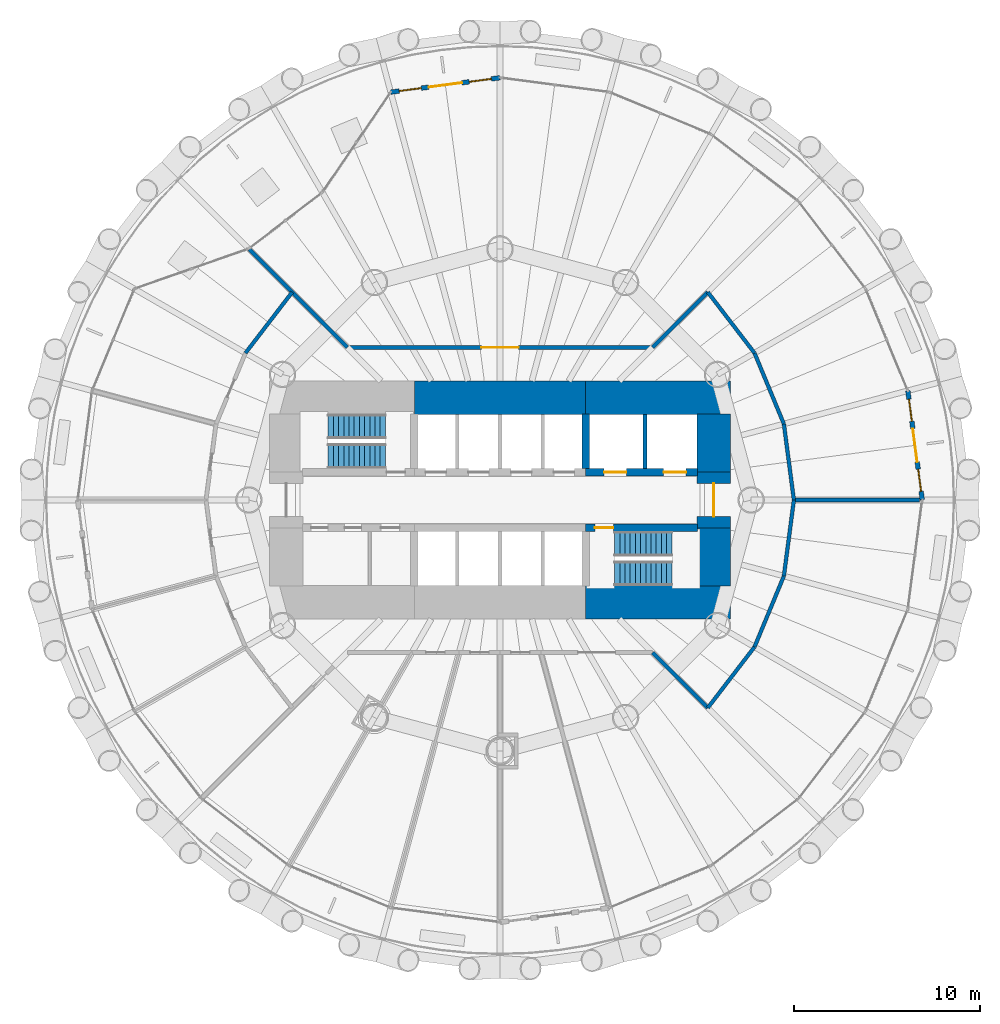
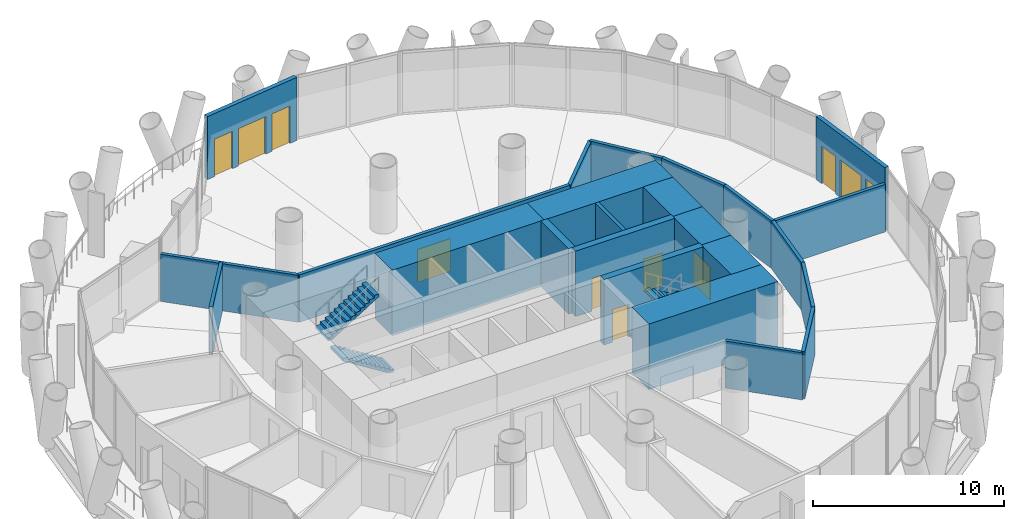
# One storey, part 10 of 14: 24 walls, 7 doors, 4 stair flights, 4 windows, 11 openings, 2 elements without a shape of their own.
"""IFC4 building model written with IfcOpenShell, lengths in metres."""

import ifcopenshell
import ifcopenshell.guid

model = None  # the IFC model being written
_history = None  # IfcOwnerHistory: only IFC2X3 demands one
_inside = {}  # id of a spatial element -> (the spatial element, [elements in it])
_under = {}  # id of a project, library or spatial element -> (it, [spatial elements below it])
_declared = {}  # id of a project -> (the project, [libraries it declares])
_typed = {}  # id of a type object -> (the type object, [elements of that type])
_made_of = {}  # id of a material, layer set ... -> (it, [elements and type objects made of it])


def new_model(schema):
    """Start an empty IFC model of exactly this schema.

    Asked for "IFC4X3", IfcOpenShell would pick the latest addendum, in which some entities
    have other attributes; the version numbers below select the first issue.
    IFC2X3 requires an IfcOwnerHistory on every rooted entity: one is made here for all.
    """
    global model, _history
    if schema == "IFC4X3":
        model = ifcopenshell.file(schema_version=(4, 3, 0, 0))
    else:
        model = ifcopenshell.file(schema=schema)
    _inside.clear()
    _under.clear()
    _declared.clear()
    _typed.clear()
    _made_of.clear()
    _history = None
    if model.schema == "IFC2X3":
        org = make("IfcOrganization", Name="unknown")
        user = make(
            "IfcPersonAndOrganization",
            ThePerson=make("IfcPerson", FamilyName="unknown"),
            TheOrganization=org,
        )
        app = make(
            "IfcApplication",
            ApplicationDeveloper=org,
            Version="unknown",
            ApplicationFullName="unknown",
            ApplicationIdentifier="unknown",
        )
        _history = make(
            "IfcOwnerHistory",
            OwningUser=user,
            OwningApplication=app,
            ChangeAction="ADDED",
            CreationDate=0,
        )
    return model


def make(cls, **values):
    """One entity of the class cls with the attributes given. An attribute that is None is left unset."""
    return model.create_entity(
        cls, **{name: value for name, value in values.items() if value is not None}
    )


def rooted(cls, **values):
    """An entity with a GlobalId (a new one), such as an element, a storey or a relation."""
    return make(cls, GlobalId=ifcopenshell.guid.new(), OwnerHistory=_history, **values)


def si_unit(unit_type, name, prefix=None):
    """IfcSIUnit, for example si_unit("LENGTHUNIT", "METRE", prefix="MILLI")."""
    return make("IfcSIUnit", UnitType=unit_type, Prefix=prefix, Name=name)


def assignment(units):
    """IfcUnitAssignment: the units of a project."""
    return None if units is None else make("IfcUnitAssignment", Units=units)


def point(xyz):
    """IfcCartesianPoint."""
    return None if xyz is None else make("IfcCartesianPoint", Coordinates=xyz)


def direction(xyz):
    """IfcDirection."""
    return None if xyz is None else make("IfcDirection", DirectionRatios=xyz)


def frame(location, z_axis=None, x_axis=None):
    """IfcAxis2Placement3D, a coordinate frame: its origin and axes. An axis left out is left unset."""
    return make(
        "IfcAxis2Placement3D",
        Location=point(location),
        Axis=direction(z_axis),
        RefDirection=direction(x_axis),
    )


def frame_2d(location, x_axis=None):
    """IfcAxis2Placement2D, a coordinate frame in the plane: its origin and x axis."""
    return make(
        "IfcAxis2Placement2D", Location=point(location), RefDirection=direction(x_axis)
    )


def origin():
    """The frame at (0, 0, 0) with its axes left unset."""
    return frame((0.0, 0.0, 0.0))


def place(relative_to, where):
    """IfcLocalPlacement: puts the frame where relative to a parent placement (None: the world)."""
    return make(
        "IfcLocalPlacement", PlacementRelTo=relative_to, RelativePlacement=where
    )


def context(
    kind, dimensions, precision=None, world=None, true_north=None, identifier=None
):
    """IfcGeometricRepresentationContext, for example the 3D "Model" context."""
    return make(
        "IfcGeometricRepresentationContext",
        ContextIdentifier=identifier,
        ContextType=kind,
        CoordinateSpaceDimension=dimensions,
        Precision=precision,
        WorldCoordinateSystem=world,
        TrueNorth=true_north,
    )


def subcontext(parent, identifier, kind, view, scale=None):
    """IfcGeometricRepresentationSubContext, for example "Body" below "Model"."""
    return make(
        "IfcGeometricRepresentationSubContext",
        ContextIdentifier=identifier,
        ContextType=kind,
        ParentContext=parent,
        TargetScale=scale,
        TargetView=view,
    )


def project(units=None, contexts=None):
    """IfcProject with its units and contexts."""
    return rooted(
        "IfcProject",
        Name="project",
        RepresentationContexts=contexts,
        UnitsInContext=assignment(units),
    )


def spatial(cls, under=None, at=None, **own):
    """A site, building, storey or space (cls), placed at a placement, below another one or the project."""
    s = rooted(cls, ObjectPlacement=at, **own)
    if under is not None:
        _under.setdefault(under.id(), (under, []))[1].append(s)
    return s


def polyline(points):
    """IfcPolyline through the points."""
    return make("IfcPolyline", Points=[point(p) for p in points])


def profile(cls, at=None, kind="AREA", **sizes):
    """A parametric profile (cls). Its sizes go by their IFC names, for example OverallWidth=200.0."""
    return make(cls, ProfileType=kind, Position=at, **sizes)


def rectangle(**sizes):
    """IfcRectangleProfileDef."""
    return profile("IfcRectangleProfileDef", **sizes)


def outline(outer, holes=None, kind="AREA"):
    """IfcArbitraryClosedProfileDef: a profile drawn as a closed curve; with holes, ...WithVoids."""
    if holes is None:
        return make("IfcArbitraryClosedProfileDef", ProfileType=kind, OuterCurve=outer)
    return make(
        "IfcArbitraryProfileDefWithVoids",
        ProfileType=kind,
        OuterCurve=outer,
        InnerCurves=holes,
    )


def extrude(swept, where, along, depth):
    """IfcExtrudedAreaSolid: the profile swept, set in the frame where, extruded along a direction by depth."""
    return make(
        "IfcExtrudedAreaSolid",
        SweptArea=swept,
        Position=where,
        ExtrudedDirection=direction(along),
        Depth=depth,
    )


def shape(context_of_items, identifier, shape_type, items):
    """IfcShapeRepresentation: the items that make up one representation, for example the "Body"."""
    return make(
        "IfcShapeRepresentation",
        ContextOfItems=context_of_items,
        RepresentationIdentifier=identifier,
        RepresentationType=shape_type,
        Items=items,
    )


def material(Name=None, Category=None):
    """IfcMaterial."""
    return make("IfcMaterial", Name=Name, Category=Category)


def layer(
    of_material, thickness, ventilated=None, Name=None, Category=None, Priority=None
):
    """IfcMaterialLayer: one layer of a wall or slab, of a material (None: an air gap)."""
    return make(
        "IfcMaterialLayer",
        Material=of_material,
        LayerThickness=thickness,
        IsVentilated=ventilated,
        Name=Name,
        Category=Category,
        Priority=Priority,
    )


def layer_set(layers, Name=None):
    """IfcMaterialLayerSet."""
    return make("IfcMaterialLayerSet", MaterialLayers=layers, LayerSetName=Name)


def made_of(thing, what):
    """Note that an element or type object is made of a material, layer set ...; save() writes the relation."""
    if what is not None:
        _made_of.setdefault(what.id(), (what, []))[1].append(thing)
    return thing


def type_object(cls, material=None, **own):
    """A type object (cls), such as IfcWallType, which elements share."""
    return made_of(rooted(cls, **own), material)


def element(
    cls,
    number,
    at=None,
    inside=None,
    cuts=None,
    type_object=None,
    material=None,
    context=None,
    identifier="Body",
    shape_type=None,
    held_by="IfcProductDefinitionShape",
    body=None,
    shapes=None,
    **own,
):
    """One element of the class cls, such as IfcWall. Its Tag is "e" and its number.

    at: its placement. inside: the storey or other place that contains it. cuts: it is an
    opening in that element (IfcRelVoidsElement). A single representation is given by context,
    identifier, shape_type and body (its items); several are given by shapes. held_by: the class
    of the entity that holds the representations. save() writes the other relations.
    """
    e = rooted(cls, Tag="e%d" % number, ObjectPlacement=at, **own)
    if body is not None:
        shapes = [shape(context, identifier, shape_type, body)]
    if shapes is not None:
        e.Representation = make(held_by, Representations=shapes)
    if inside is not None:
        _inside.setdefault(inside.id(), (inside, []))[1].append(e)
    if cuts is not None:
        rooted(
            "IfcRelVoidsElement", RelatingBuildingElement=cuts, RelatedOpeningElement=e
        )
    if type_object is not None:
        _typed.setdefault(type_object.id(), (type_object, []))[1].append(e)
    return made_of(e, material)


def fill(opening, filler):
    """IfcRelFillsElement: the door or window that sits in an opening."""
    return rooted(
        "IfcRelFillsElement",
        RelatingOpeningElement=opening,
        RelatedBuildingElement=filler,
    )


def aggregate(whole, parts):
    """IfcRelAggregates: a whole, such as a stair, and the parts it consists of."""
    return rooted("IfcRelAggregates", RelatingObject=whole, RelatedObjects=parts)


def save(model, path):
    """Write the relations noted so far, then the file.

    IfcRelAggregates (storeys below a building ...), IfcRelContainedInSpatialStructure (elements
    in a storey), IfcRelDefinesByType, IfcRelAssociatesMaterial and IfcRelDeclares: one each for
    every whole, place, type object, material and project.
    """
    for whole, parts in _under.values():
        aggregate(whole, parts)
    for where, things in _inside.values():
        rooted(
            "IfcRelContainedInSpatialStructure",
            RelatedElements=things,
            RelatingStructure=where,
        )
    for kind, things in _typed.values():
        rooted("IfcRelDefinesByType", RelatedObjects=things, RelatingType=kind)
    for what, things in _made_of.values():
        rooted("IfcRelAssociatesMaterial", RelatedObjects=things, RelatingMaterial=what)
    for by, libraries in _declared.values():
        rooted("IfcRelDeclares", RelatingContext=by, RelatedDefinitions=libraries)
    model.write(path)


model = new_model("IFC4")

# Units and contexts
model_context = context("Model", 3, precision=1e-05, world=origin(), true_north=direction((0.0, 1.0)))
body_context = subcontext(model_context, "Body", "Model", "MODEL_VIEW")
ifc_project = project(units=[si_unit("LENGTHUNIT", "METRE"), si_unit("AREAUNIT", "SQUARE_METRE"), si_unit("VOLUMEUNIT", "CUBIC_METRE"), si_unit("PLANEANGLEUNIT", "RADIAN"), si_unit("MASSUNIT", "GRAM", prefix="KILO")], contexts=[model_context])

# Site, building, storey
site_placement = place(None, origin())
site = spatial("IfcSite", under=ifc_project, at=site_placement, CompositionType="ELEMENT")
building_placement = place(site_placement, origin())
building = spatial("IfcBuilding", under=site, at=building_placement, Name="Qaws Media Tower", CompositionType="ELEMENT")
storey_placement = place(building_placement, frame((0.0, 0.0, 59.60009765625)))
storey = spatial("IfcBuildingStorey", under=building, at=storey_placement, Name="L12", CompositionType="ELEMENT", Elevation=59.60009765625)

# Wall, openings, door, windows
ifc_material_1 = material(Name="Precast concrete, exposed finish", Category="concrete")
ifc_layer_1 = layer(ifc_material_1, 0.25)
ifc_layer_set_1 = layer_set([ifc_layer_1], Name="Balcony door wall 250")
wall_type_1 = type_object("IfcWallType", Name="Balcony door wall 250", PredefinedType="SOLIDWALL", material=ifc_layer_set_1)
wall_1_placement = place(storey_placement, frame((82.699951171875, 50.0, 0.0), z_axis=(0.0, 0.0, 1.0), x_axis=(-0.130517390063, 0.99144602016, 0.0)))
wall_1 = element("IfcWall", 1, at=wall_1_placement, inside=storey, type_object=wall_type_1, Name="W140 EW1 balcony door wall L12-01", PredefinedType="SOLIDWALL", context=body_context, shape_type="SweptSolid", body=[
    extrude(rectangle(XDim=5.926025390625, YDim=0.25, at=frame_2d((2.962890625, 0.0))), origin(), (0.0, 0.0, 1.0), 4.039794921875),
])
opening_1_placement = place(wall_1_placement, frame((2.06298828125, 0.0, 0.0)))
opening_1 = element("IfcOpeningElement", 2, at=opening_1_placement, cuts=wall_1, Name="Opening D7", PredefinedType="OPENING", context=body_context, shape_type="SweptSolid", body=[
    extrude(rectangle(XDim=1.800048828125, YDim=2.39990234375, at=frame_2d((0.89990234375, 1.199951171875))), frame((0.0, 0.135009765625, 0.0), z_axis=(0.0, -1.0, 0.0), x_axis=(1.0, 0.0, 0.0)), (0.0, 0.0, 1.0), 0.27001953125),
])
opening_2_placement = place(wall_1_placement, frame((0.462890625, 0.0, 0.0)))
opening_2 = element("IfcOpeningElement", 3, at=opening_2_placement, cuts=wall_1, Name="Opening W1", PredefinedType="OPENING", context=body_context, shape_type="SweptSolid", body=[
    extrude(rectangle(XDim=1.199951171875, YDim=2.39990234375, at=frame_2d((0.60009765625, 1.199951171875))), frame((0.0, 0.135009765625, 0.0), z_axis=(0.0, -1.0, 0.0), x_axis=(1.0, 0.0, 0.0)), (0.0, 0.0, 1.0), 0.27001953125),
])
opening_3_placement = place(wall_1_placement, frame((4.262939453125, 0.0, 0.0)))
opening_3 = element("IfcOpeningElement", 4, at=opening_3_placement, cuts=wall_1, Name="Opening W1", PredefinedType="OPENING", context=body_context, shape_type="SweptSolid", body=[
    extrude(rectangle(XDim=1.199951171875, YDim=2.39990234375, at=frame_2d((0.60009765625, 1.199951171875))), frame((0.0, 0.135009765625, 0.0), z_axis=(0.0, -1.0, 0.0), x_axis=(1.0, 0.0, 0.0)), (0.0, 0.0, 1.0), 0.27001953125),
])
ifc_material_2 = material(Name="Aluminium and clear glass", Category="aluminium")
door_type_1 = type_object("IfcDoorType", Name="Balcony door pair 1800", OperationType="DOUBLE_DOOR_SLIDING", PredefinedType="DOOR", material=ifc_material_2)
door_1_placement = place(opening_1_placement, origin())
door_1 = element("IfcDoor", 5, at=door_1_placement, inside=storey, type_object=door_type_1, Name="D7 balcony door L12-01 in wall W140", OperationType="DOUBLE_DOOR_SLIDING", OverallHeight=2.39990234375, OverallWidth=1.800048828125, PredefinedType="DOOR", context=body_context, shape_type="SweptSolid", body=[
    extrude(rectangle(XDim=1.800048828125, YDim=2.39990234375, at=frame_2d((0.89990234375, 1.199951171875))), frame((0.0, 0.02490234375, 0.0), z_axis=(0.0, -1.0, 0.0), x_axis=(1.0, 0.0, 0.0)), (0.0, 0.0, 1.0), 0.050048828125),
])
fill(opening_1, door_1)
ifc_material_3 = material(Name="Aluminium and clear glass", Category="aluminium")
window_type = type_object("IfcWindowType", Name="Balcony side window 1200", PartitioningType="SINGLE_PANEL", PredefinedType="WINDOW", material=ifc_material_3)
window_1_placement = place(opening_2_placement, origin())
window_1 = element("IfcWindow", 6, at=window_1_placement, inside=storey, type_object=window_type, Name="W1 balcony side light L12-01L", OverallHeight=2.39990234375, OverallWidth=1.199951171875, PartitioningType="SINGLE_PANEL", PredefinedType="WINDOW", context=body_context, shape_type="SweptSolid", body=[
    extrude(rectangle(XDim=1.199951171875, YDim=2.39990234375, at=frame_2d((0.60009765625, 1.199951171875))), frame((0.0, 0.030029296875, 0.0), z_axis=(0.0, -1.0, 0.0), x_axis=(1.0, 0.0, 0.0)), (0.0, 0.0, 1.0), 0.06005859375),
])
fill(opening_2, window_1)
window_2_placement = place(opening_3_placement, origin())
window_2 = element("IfcWindow", 7, at=window_2_placement, inside=storey, type_object=window_type, Name="W1 balcony side light L12-01R", OverallHeight=2.39990234375, OverallWidth=1.199951171875, PartitioningType="SINGLE_PANEL", PredefinedType="WINDOW", context=body_context, shape_type="SweptSolid", body=[
    extrude(rectangle(XDim=1.199951171875, YDim=2.39990234375, at=frame_2d((0.60009765625, 1.199951171875))), frame((0.0, 0.030029296875, 0.0), z_axis=(0.0, -1.0, 0.0), x_axis=(1.0, 0.0, 0.0)), (0.0, 0.0, 1.0), 0.06005859375),
])
fill(opening_3, window_2)

wall_2_placement = place(storey_placement, frame((60.0, 72.699951171875, 0.0), z_axis=(0.0, 0.0, 1.0), x_axis=(-0.99144602016, -0.130517390063, 0.0)))
wall_2 = element("IfcWall", 8, at=wall_2_placement, inside=storey, type_object=wall_type_1, Name="W139 EW1 balcony door wall L12-07", PredefinedType="SOLIDWALL", context=body_context, shape_type="SweptSolid", body=[
    extrude(rectangle(XDim=5.926025390625, YDim=0.25, at=frame_2d((2.962890625, 0.0))), origin(), (0.0, 0.0, 1.0), 4.039794921875),
])
opening_4_placement = place(wall_2_placement, frame((2.06298828125, 0.0, 0.0)))
opening_4 = element("IfcOpeningElement", 9, at=opening_4_placement, cuts=wall_2, Name="Opening D7", PredefinedType="OPENING", context=body_context, shape_type="SweptSolid", body=[
    extrude(rectangle(XDim=1.800048828125, YDim=2.39990234375, at=frame_2d((0.89990234375, 1.199951171875))), frame((0.0, 0.135009765625, 0.0), z_axis=(0.0, -1.0, 0.0), x_axis=(1.0, 0.0, 0.0)), (0.0, 0.0, 1.0), 0.27001953125),
])
opening_5_placement = place(wall_2_placement, frame((0.462890625, 0.0, 0.0)))
opening_5 = element("IfcOpeningElement", 10, at=opening_5_placement, cuts=wall_2, Name="Opening W1", PredefinedType="OPENING", context=body_context, shape_type="SweptSolid", body=[
    extrude(rectangle(XDim=1.199951171875, YDim=2.39990234375, at=frame_2d((0.60009765625, 1.199951171875))), frame((0.0, 0.135009765625, 0.0), z_axis=(0.0, -1.0, 0.0), x_axis=(1.0, 0.0, 0.0)), (0.0, 0.0, 1.0), 0.27001953125),
])
opening_6_placement = place(wall_2_placement, frame((4.262939453125, 0.0, 0.0)))
opening_6 = element("IfcOpeningElement", 11, at=opening_6_placement, cuts=wall_2, Name="Opening W1", PredefinedType="OPENING", context=body_context, shape_type="SweptSolid", body=[
    extrude(rectangle(XDim=1.199951171875, YDim=2.39990234375, at=frame_2d((0.60009765625, 1.199951171875))), frame((0.0, 0.135009765625, 0.0), z_axis=(0.0, -1.0, 0.0), x_axis=(1.0, 0.0, 0.0)), (0.0, 0.0, 1.0), 0.27001953125),
])
door_2_placement = place(opening_4_placement, origin())
door_2 = element("IfcDoor", 12, at=door_2_placement, inside=storey, type_object=door_type_1, Name="D7 balcony door L12-07 in wall W139", OperationType="DOUBLE_DOOR_SLIDING", OverallHeight=2.39990234375, OverallWidth=1.800048828125, PredefinedType="DOOR", context=body_context, shape_type="SweptSolid", body=[
    extrude(rectangle(XDim=1.800048828125, YDim=2.39990234375, at=frame_2d((0.89990234375, 1.199951171875))), frame((0.0, 0.02490234375, 0.0), z_axis=(0.0, -1.0, 0.0), x_axis=(1.0, 0.0, 0.0)), (0.0, 0.0, 1.0), 0.050048828125),
])
fill(opening_4, door_2)
window_3_placement = place(opening_5_placement, origin())
window_3 = element("IfcWindow", 13, at=window_3_placement, inside=storey, type_object=window_type, Name="W1 balcony side light L12-07L", OverallHeight=2.39990234375, OverallWidth=1.199951171875, PartitioningType="SINGLE_PANEL", PredefinedType="WINDOW", context=body_context, shape_type="SweptSolid", body=[
    extrude(rectangle(XDim=1.199951171875, YDim=2.39990234375, at=frame_2d((0.60009765625, 1.199951171875))), frame((0.0, 0.030029296875, 0.0), z_axis=(0.0, -1.0, 0.0), x_axis=(1.0, 0.0, 0.0)), (0.0, 0.0, 1.0), 0.06005859375),
])
fill(opening_5, window_3)
window_4_placement = place(opening_6_placement, origin())
window_4 = element("IfcWindow", 14, at=window_4_placement, inside=storey, type_object=window_type, Name="W1 balcony side light L12-07R", OverallHeight=2.39990234375, OverallWidth=1.199951171875, PartitioningType="SINGLE_PANEL", PredefinedType="WINDOW", context=body_context, shape_type="SweptSolid", body=[
    extrude(rectangle(XDim=1.199951171875, YDim=2.39990234375, at=frame_2d((0.60009765625, 1.199951171875))), frame((0.0, 0.030029296875, 0.0), z_axis=(0.0, -1.0, 0.0), x_axis=(1.0, 0.0, 0.0)), (0.0, 0.0, 1.0), 0.06005859375),
])
fill(opening_6, window_4)

# Wall, openings, doors
ifc_material_4 = material(Name="Concrete C60/75", Category="concrete")
ifc_layer_2 = layer(ifc_material_4, 0.39990234375)
ifc_layer_set_2 = layer_set([ifc_layer_2], Name="Core inner wall 400")
wall_type_2 = type_object("IfcWallType", Name="Core inner wall 400", PredefinedType="SHEAR", material=ifc_layer_set_2)
wall_3_placement = place(storey_placement, frame((64.60009765625, 51.5, 0.0), z_axis=(0.0, 0.0, 1.0), x_axis=(1.0, 0.0, 0.0)))
wall_3 = element("IfcWall", 15, at=wall_3_placement, inside=storey, type_object=wall_type_2, Name="W318 SW4 core wall SPNE L12", PredefinedType="SHEAR", context=body_context, shape_type="SweptSolid", body=[
    extrude(rectangle(XDim=6.02001953125, YDim=0.39990234375, at=frame_2d((3.010009765625, 0.0))), origin(), (0.0, 0.0, 1.0), 4.199951171875),
])
opening_7_placement = place(wall_3_placement, frame((1.0, 0.0, 0.0)))
opening_7 = element("IfcOpeningElement", 16, at=opening_7_placement, cuts=wall_3, Name="Opening LD2", PredefinedType="OPENING", context=body_context, shape_type="SweptSolid", body=[
    extrude(rectangle(XDim=1.199951171875, YDim=2.10009765625, at=frame_2d((0.60009765625, 1.050048828125))), frame((0.0, 0.2099609375, 0.0), z_axis=(0.0, -1.0, 0.0), x_axis=(1.0, 0.0, 0.0)), (0.0, 0.0, 1.0), 0.419921875),
])
opening_8_placement = place(wall_3_placement, frame((4.199951171875, 0.0, 0.0)))
opening_8 = element("IfcOpeningElement", 17, at=opening_8_placement, cuts=wall_3, Name="Opening LD2", PredefinedType="OPENING", context=body_context, shape_type="SweptSolid", body=[
    extrude(rectangle(XDim=1.199951171875, YDim=2.10009765625, at=frame_2d((0.60009765625, 1.050048828125))), frame((0.0, 0.2099609375, 0.0), z_axis=(0.0, -1.0, 0.0), x_axis=(1.0, 0.0, 0.0)), (0.0, 0.0, 1.0), 0.419921875),
])
ifc_material_5 = material(Name="Steel, fire rated", Category="steel")
door_type_2 = type_object("IfcDoorType", Name="Lift landing door 1200", OperationType="SLIDING_TO_LEFT", PredefinedType="DOOR", material=ifc_material_5)
door_3_placement = place(opening_7_placement, origin())
door_3 = element("IfcDoor", 18, at=door_3_placement, inside=storey, type_object=door_type_2, Name="FL1 landing door L12 in wall W318", OperationType="SLIDING_TO_LEFT", OverallHeight=2.10009765625, OverallWidth=1.199951171875, PredefinedType="DOOR", context=body_context, shape_type="SweptSolid", body=[
    extrude(rectangle(XDim=1.199951171875, YDim=2.10009765625, at=frame_2d((0.60009765625, 1.050048828125))), frame((0.0, 0.02490234375, 0.0), z_axis=(0.0, -1.0, 0.0), x_axis=(1.0, 0.0, 0.0)), (0.0, 0.0, 1.0), 0.050048828125),
])
fill(opening_7, door_3)
door_4_placement = place(opening_8_placement, origin())
door_4 = element("IfcDoor", 19, at=door_4_placement, inside=storey, type_object=door_type_2, Name="FL2 landing door L12 in wall W318", OperationType="SLIDING_TO_LEFT", OverallHeight=2.10009765625, OverallWidth=1.199951171875, PredefinedType="DOOR", context=body_context, shape_type="SweptSolid", body=[
    extrude(rectangle(XDim=1.199951171875, YDim=2.10009765625, at=frame_2d((0.60009765625, 1.050048828125))), frame((0.0, 0.02490234375, 0.0), z_axis=(0.0, -1.0, 0.0), x_axis=(1.0, 0.0, 0.0)), (0.0, 0.0, 1.0), 0.050048828125),
])
fill(opening_8, door_4)

# Wall, opening, door
wall_4_placement = place(storey_placement, frame((64.60009765625, 48.5, 0.0), z_axis=(0.0, 0.0, 1.0), x_axis=(1.0, 0.0, 0.0)))
wall_4 = element("IfcWall", 20, at=wall_4_placement, inside=storey, type_object=wall_type_2, Name="W317 SW4 core wall SPSE L12", PredefinedType="SHEAR", context=body_context, shape_type="SweptSolid", body=[
    extrude(rectangle(XDim=6.02001953125, YDim=0.39990234375, at=frame_2d((3.010009765625, 0.0))), origin(), (0.0, 0.0, 1.0), 4.199951171875),
])
opening_9_placement = place(wall_4_placement, frame((0.5, 0.0, 0.0)))
opening_9 = element("IfcOpeningElement", 21, at=opening_9_placement, cuts=wall_4, Name="Opening D1", PredefinedType="OPENING", context=body_context, shape_type="SweptSolid", body=[
    extrude(rectangle(XDim=1.0, YDim=2.10009765625, at=frame_2d((0.5, 1.050048828125))), frame((0.0, 0.2099609375, 0.0), z_axis=(0.0, -1.0, 0.0), x_axis=(1.0, 0.0, 0.0)), (0.0, 0.0, 1.0), 0.419921875),
])
ifc_material_6 = material(Name="Steel, fire rated", Category="steel")
door_type_3 = type_object("IfcDoorType", Name="Stair door 1000 FD120", OperationType="SINGLE_SWING_LEFT", PredefinedType="DOOR", material=ifc_material_6)
door_5_placement = place(opening_9_placement, origin())
door_5 = element("IfcDoor", 22, at=door_5_placement, inside=storey, type_object=door_type_3, Name="D1 stair S2 door L12 in wall W317", OperationType="SINGLE_SWING_LEFT", OverallHeight=2.10009765625, OverallWidth=1.0, PredefinedType="DOOR", context=body_context, shape_type="SweptSolid", body=[
    extrude(rectangle(XDim=1.0, YDim=2.10009765625, at=frame_2d((0.5, 1.050048828125))), frame((0.0, 0.02490234375, 0.0), z_axis=(0.0, -1.0, 0.0), x_axis=(1.0, 0.0, 0.0)), (0.0, 0.0, 1.0), 0.050048828125),
])
fill(opening_9, door_5)

# Walls
wall_5_placement = place(storey_placement, frame((64.60009765625, 51.679931640625, 0.0), z_axis=(0.0, 0.0, 1.0), x_axis=(0.0, 1.0, 0.0)))
element("IfcWall", 23, at=wall_5_placement, inside=storey, type_object=wall_type_2, Name="W319 SW4 core wall XNE L12", PredefinedType="SHEAR", context=body_context, shape_type="SweptSolid", body=[
    extrude(rectangle(XDim=2.940185546875, YDim=0.39990234375, at=frame_2d((1.47021484375, 0.0))), origin(), (0.0, 0.0, 1.0), 4.199951171875),
])
ifc_material_7 = material(Name="Concrete C60/75", Category="concrete")
ifc_layer_3 = layer(ifc_material_7, 1.800048828125)
ifc_layer_set_3 = layer_set([ifc_layer_3], Name="Core wall 1800")
wall_type_3 = type_object("IfcWallType", Name="Core wall 1800", PredefinedType="SHEAR", material=ifc_layer_set_3)
wall_6_placement = place(storey_placement, frame((55.39990234375, 55.5, 0.0), z_axis=(0.0, 0.0, 1.0), x_axis=(1.0, 0.0, 0.0)))
element("IfcWall", 24, at=wall_6_placement, inside=storey, type_object=wall_type_3, Name="W404 SW11 core wall N L12", PredefinedType="SHEAR", context=body_context, shape_type="SweptSolid", body=[
    extrude(rectangle(XDim=9.2001953125, YDim=1.800048828125, at=frame_2d((4.60009765625, 0.0))), origin(), (0.0, 0.0, 1.0), 4.199951171875),
])
for number, where, z_axis, x_axis, name in (
    (25, (64.60009765625, 55.5, 0.0), (0.0, 0.0, 1.0), (1.0, 0.0, 0.0), "W406 SW11 core wall NE L12"),
    (26, (64.60009765625, 44.5, 0.0), (0.0, 0.0, 1.0), (1.0, 0.0, 0.0), "W405 SW11 core wall SE L12"),
):
    element("IfcWall", number, at=place(storey_placement, frame(where, z_axis=z_axis, x_axis=x_axis)), inside=storey, type_object=wall_type_3, Name=name, PredefinedType="SHEAR", context=body_context, shape_type="SweptSolid", body=[
        extrude(rectangle(XDim=7.7998046875, YDim=1.800048828125, at=frame_2d((3.89990234375, 0.0))), origin(), (0.0, 0.0, 1.0), 4.199951171875),
    ])
wall_7_placement = place(storey_placement, frame((71.5, 45.3798828125, 0.0), z_axis=(0.0, 0.0, 1.0), x_axis=(0.0, 1.0, 0.0)))
element("IfcWall", 27, at=wall_7_placement, inside=storey, type_object=wall_type_3, Name="W407 SW11 core wall ES L12", PredefinedType="SHEAR", context=body_context, shape_type="SweptSolid", body=[
    extrude(rectangle(XDim=3.1201171875, YDim=1.800048828125, at=frame_2d((1.56005859375, 0.0))), origin(), (0.0, 0.0, 1.0), 4.199951171875),
])

# Wall, opening, door
wall_8_placement = place(storey_placement, frame((71.5, 48.5, 0.0), z_axis=(0.0, 0.0, 1.0), x_axis=(0.0, 1.0, 0.0)))
wall_8 = element("IfcWall", 28, at=wall_8_placement, inside=storey, type_object=wall_type_3, Name="W408 SW11 core wall E L12", PredefinedType="SHEAR", context=body_context, shape_type="SweptSolid", body=[
    extrude(rectangle(XDim=3.0, YDim=1.800048828125, at=frame_2d((1.5, 0.0))), origin(), (0.0, 0.0, 1.0), 4.199951171875),
])
opening_10_placement = place(wall_8_placement, frame((0.60009765625, 0.0, 0.0)))
opening_10 = element("IfcOpeningElement", 29, at=opening_10_placement, cuts=wall_8, Name="Opening D2", PredefinedType="OPENING", context=body_context, shape_type="SweptSolid", body=[
    extrude(rectangle(XDim=1.800048828125, YDim=2.10009765625, at=frame_2d((0.89990234375, 1.050048828125))), frame((0.0, 0.909912109375, 0.0), z_axis=(0.0, -1.0, 0.0), x_axis=(1.0, 0.0, 0.0)), (0.0, 0.0, 1.0), 1.820068359375),
])
ifc_material_8 = material(Name="Steel and glass, fire rated", Category="steel")
door_type_4 = type_object("IfcDoorType", Name="Lobby door pair 1800 FD60", OperationType="DOUBLE_DOOR_DOUBLE_SWING", PredefinedType="DOOR", material=ifc_material_8)
door_6_placement = place(opening_10_placement, origin())
door_6 = element("IfcDoor", 30, at=door_6_placement, inside=storey, type_object=door_type_4, Name="D2 core lobby door E L12 in wall W408", OperationType="DOUBLE_DOOR_DOUBLE_SWING", OverallHeight=2.10009765625, OverallWidth=1.800048828125, PredefinedType="DOOR", context=body_context, shape_type="SweptSolid", body=[
    extrude(rectangle(XDim=1.800048828125, YDim=2.10009765625, at=frame_2d((0.89990234375, 1.050048828125))), frame((0.0, 0.02490234375, 0.0), z_axis=(0.0, -1.0, 0.0), x_axis=(1.0, 0.0, 0.0)), (0.0, 0.0, 1.0), 0.050048828125),
])
fill(opening_10, door_6)

# Walls
wall_9_placement = place(storey_placement, frame((71.5, 51.5, 0.0), z_axis=(0.0, 0.0, 1.0), x_axis=(0.0, 1.0, 0.0)))
element("IfcWall", 31, at=wall_9_placement, inside=storey, type_object=wall_type_3, Name="W409 SW11 core wall EN L12", PredefinedType="SHEAR", context=body_context, shape_type="SweptSolid", body=[
    extrude(rectangle(XDim=3.1201171875, YDim=1.800048828125, at=frame_2d((1.56005859375, 0.0))), origin(), (0.0, 0.0, 1.0), 4.199951171875),
])
ifc_material_9 = material(Name="Gypsum board on galvanised metal studs, acoustic double stud, deflection head", Category="gypsum")
ifc_layer_4 = layer(ifc_material_9, 0.199951171875)
ifc_layer_set_4 = layer_set([ifc_layer_4], Name="Room partition 200")
wall_type_4 = type_object("IfcWallType", Name="Room partition 200", PredefinedType="PARTITIONING", material=ifc_layer_set_4)
wall_10_placement = place(storey_placement, frame((46.31689453125, 57.89990234375, 0.0), z_axis=(0.0, 0.0, 1.0), x_axis=(0.608714823874, 0.793389099494, 0.0)))
element("IfcWall", 32, at=wall_10_placement, inside=storey, type_object=wall_type_4, Name="W947 IW3 partition L12", PredefinedType="PARTITIONING", context=body_context, shape_type="SweptSolid", body=[
    extrude(rectangle(XDim=4.124755859375, YDim=0.199951171875, at=frame_2d((2.0625, 0.0))), origin(), (0.0, 0.0, 1.0), 3.039794921875),
])

# Wall, opening, door
wall_11_placement = place(storey_placement, frame((51.800048828125, 58.199951171875, 0.0), z_axis=(0.0, 0.0, 1.0), x_axis=(1.0, 0.0, 0.0)))
wall_11 = element("IfcWall", 33, at=wall_11_placement, inside=storey, type_object=wall_type_4, Name="W1044 IW3 partition L12", PredefinedType="PARTITIONING", context=body_context, shape_type="SweptSolid", body=[
    extrude(rectangle(XDim=16.39990234375, YDim=0.199951171875, at=frame_2d((8.199951171875, 0.0))), origin(), (0.0, 0.0, 1.0), 3.039794921875),
])
opening_11_placement = place(wall_11_placement, frame((7.199951171875, 0.0, 0.0)))
opening_11 = element("IfcOpeningElement", 34, at=opening_11_placement, cuts=wall_11, Name="Opening D6", PredefinedType="OPENING", context=body_context, shape_type="SweptSolid", body=[
    extrude(rectangle(XDim=2.0, YDim=2.10009765625, at=frame_2d((1.0, 1.050048828125))), frame((0.0, 0.10986328125, 0.0), z_axis=(0.0, -1.0, 0.0), x_axis=(1.0, 0.0, 0.0)), (0.0, 0.0, 1.0), 0.219970703125),
])
ifc_material_10 = material(Name="Steel, acoustic, fire rated", Category="steel")
door_type_5 = type_object("IfcDoorType", Name="Room door pair 2000", OperationType="DOUBLE_DOOR_DOUBLE_SWING", PredefinedType="DOOR", material=ifc_material_10)
door_7_placement = place(opening_11_placement, origin())
door_7 = element("IfcDoor", 35, at=door_7_placement, inside=storey, type_object=door_type_5, Name="D6 Newsroom door L12 in wall W1044", OperationType="DOUBLE_DOOR_DOUBLE_SWING", OverallHeight=2.10009765625, OverallWidth=2.0, PredefinedType="DOOR", context=body_context, shape_type="SweptSolid", body=[
    extrude(rectangle(XDim=2.0, YDim=2.10009765625, at=frame_2d((1.0, 1.050048828125))), frame((0.0, 0.02490234375, 0.0), z_axis=(0.0, -1.0, 0.0), x_axis=(1.0, 0.0, 0.0)), (0.0, 0.0, 1.0), 0.050048828125),
])
fill(opening_11, door_7)

# Walls
wall_12_placement = place(storey_placement, frame((68.199951171875, 58.199951171875, 0.0), z_axis=(0.0, 0.0, 1.0), x_axis=(0.707106781187, 0.707106781187, 0.0)))
element("IfcWall", 36, at=wall_12_placement, inside=storey, type_object=wall_type_4, Name="W975 IW3 partition L12", PredefinedType="PARTITIONING", context=body_context, shape_type="SweptSolid", body=[
    extrude(rectangle(XDim=4.20361328125, YDim=0.199951171875, at=frame_2d((2.101806640625, 0.0))), origin(), (0.0, 0.0, 1.0), 3.02001953125),
])
wall_13_placement = place(storey_placement, frame((71.17236328125, 61.17236328125, 0.0), z_axis=(0.0, 0.0, 1.0), x_axis=(0.608714823874, -0.793389099494, 0.0)))
element("IfcWall", 37, at=wall_13_placement, inside=storey, type_object=wall_type_4, Name="W953 IW3 partition L12", PredefinedType="PARTITIONING", context=body_context, shape_type="SweptSolid", body=[
    extrude(rectangle(XDim=4.124755859375, YDim=0.199951171875, at=frame_2d((2.0625, 0.0))), origin(), (0.0, 0.0, 1.0), 3.039794921875),
])
wall_14_placement = place(storey_placement, frame((73.68310546875, 57.89990234375, 0.0), z_axis=(0.0, 0.0, 1.0), x_axis=(0.382731667114, -0.923859551549, 0.0)))
element("IfcWall", 38, at=wall_14_placement, inside=storey, type_object=wall_type_4, Name="W956 IW3 partition L12", PredefinedType="PARTITIONING", context=body_context, shape_type="SweptSolid", body=[
    extrude(rectangle(XDim=4.12451171875, YDim=0.199951171875, at=frame_2d((2.062255859375, 0.0))), origin(), (0.0, 0.0, 1.0), 3.039794921875),
])
for number, where, z_axis, x_axis, name in (
    (39, (75.26171875, 54.08935546875, 0.0), (0.0, 0.0, 1.0), (0.130515758099, -0.991446234996, 0.0), "W958 IW3 partition L12"),
    (40, (75.800048828125, 50.0, 0.0), (0.0, 0.0, 1.0), (-0.130515758099, -0.991446234996, 0.0), "W959 IW3 partition L12"),
):
    element("IfcWall", number, at=place(storey_placement, frame(where, z_axis=z_axis, x_axis=x_axis)), inside=storey, type_object=wall_type_4, Name=name, PredefinedType="PARTITIONING", context=body_context, shape_type="SweptSolid", body=[
        extrude(rectangle(XDim=4.124755859375, YDim=0.199951171875, at=frame_2d((2.0625, 0.0))), origin(), (0.0, 0.0, 1.0), 3.039794921875),
    ])
wall_15_placement = place(storey_placement, frame((75.26171875, 45.91064453125, 0.0), z_axis=(0.0, 0.0, 1.0), x_axis=(-0.382731667114, -0.923859551549, 0.0)))
element("IfcWall", 41, at=wall_15_placement, inside=storey, type_object=wall_type_4, Name="W957 IW3 partition L12", PredefinedType="PARTITIONING", context=body_context, shape_type="SweptSolid", body=[
    extrude(rectangle(XDim=4.12451171875, YDim=0.199951171875, at=frame_2d((2.062255859375, 0.0))), origin(), (0.0, 0.0, 1.0), 3.039794921875),
])
wall_16_placement = place(storey_placement, frame((73.68310546875, 42.10009765625, 0.0), z_axis=(0.0, 0.0, 1.0), x_axis=(-0.608714823874, -0.793389099494, 0.0)))
element("IfcWall", 42, at=wall_16_placement, inside=storey, type_object=wall_type_4, Name="W954 IW3 partition L12", PredefinedType="PARTITIONING", context=body_context, shape_type="SweptSolid", body=[
    extrude(rectangle(XDim=4.124755859375, YDim=0.199951171875, at=frame_2d((2.0625, 0.0))), origin(), (0.0, 0.0, 1.0), 3.039794921875),
])
wall_17_placement = place(storey_placement, frame((71.17236328125, 38.82763671875, 0.0), z_axis=(0.0, 0.0, 1.0), x_axis=(-0.707106781187, 0.707106781187, 0.0)))
element("IfcWall", 43, at=wall_17_placement, inside=storey, type_object=wall_type_4, Name="W1053 IW3 partition L12", PredefinedType="PARTITIONING", context=body_context, shape_type="SweptSolid", body=[
    extrude(rectangle(XDim=4.20361328125, YDim=0.199951171875, at=frame_2d((2.101806640625, 0.0))), origin(), (0.0, 0.0, 1.0), 3.02001953125),
])
wall_18_placement = place(storey_placement, frame((75.800048828125, 50.0, 0.0), z_axis=(0.0, 0.0, 1.0), x_axis=(1.0, 0.0, 0.0)))
element("IfcWall", 44, at=wall_18_placement, inside=storey, type_object=wall_type_4, Name="W1060 IW3 partition L12", PredefinedType="PARTITIONING", context=body_context, shape_type="SweptSolid", body=[
    extrude(rectangle(XDim=6.760009765625, YDim=0.199951171875, at=frame_2d((3.3798828125, 0.0))), origin(), (0.0, 0.0, 1.0), 3.039794921875),
])
wall_19_placement = place(storey_placement, frame((51.800048828125, 58.199951171875, 0.0), z_axis=(0.0, 0.0, 1.0), x_axis=(-0.707106781187, 0.707106781187, 0.0)))
element("IfcWall", 45, at=wall_19_placement, inside=storey, type_object=wall_type_4, Name="W1057 IW3 partition L12", PredefinedType="PARTITIONING", context=body_context, shape_type="SweptSolid", body=[
    extrude(rectangle(XDim=7.463623046875, YDim=0.199951171875, at=frame_2d((3.73193359375, 0.0))), origin(), (0.0, 0.0, 1.0), 3.02001953125),
])
ifc_material_11 = material(Name="Fire-rated gypsum board shaft wall on galvanised metal studs, deflection head", Category="gypsum")
ifc_layer_5 = layer(ifc_material_11, 0.199951171875)
ifc_layer_set_5 = layer_set([ifc_layer_5], Name="Shaft wall 200")
wall_type_5 = type_object("IfcWallType", Name="Shaft wall 200", PredefinedType="PARTITIONING", material=ifc_layer_set_5)
wall_20_placement = place(storey_placement, frame((67.800048828125, 51.699951171875, 0.0), z_axis=(0.0, 0.0, 1.0), x_axis=(0.0, 1.0, 0.0)))
element("IfcWall", 46, at=wall_20_placement, inside=storey, type_object=wall_type_5, Name="W1845 IW1 shaft wall FL L12", PredefinedType="PARTITIONING", context=body_context, shape_type="SweptSolid", body=[
    extrude(rectangle(XDim=2.900146484375, YDim=0.199951171875, at=frame_2d((1.4501953125, 0.0))), origin(), (0.0, 0.0, 1.0), 4.199951171875),
])

# Stair, stair flights
ifc_material_12 = material(Name="Concrete C40/50", Category="concrete")
stair_type = type_object("IfcStairType", Name="Exit stair", PredefinedType="HALF_TURN_STAIR", material=ifc_material_12)
stair_1_placement = place(storey_placement, origin())
stair_1 = element("IfcStair", 47, at=stair_1_placement, inside=storey, type_object=stair_type, Name="S1 exit stair L12", PredefinedType="HALF_TURN_STAIR")
ifc_material_13 = material(Name="Concrete C40/50", Category="concrete")
stair_flight_type = type_object("IfcStairFlightType", Name="Stair flight 1310", PredefinedType="STRAIGHT", material=ifc_material_13)
stair_flight_1_placement = place(storey_placement, frame((53.840087890625, 52.35498046875, 0.0), z_axis=(0.0, 0.0, 1.0), x_axis=(-1.0, 0.0, 0.0)))
stair_flight_1 = element("IfcStairFlight", 48, at=stair_flight_1_placement, type_object=stair_flight_type, Name="S1 flight 1", NumberOfRisers=12, NumberOfTreads=11, PredefinedType="STRAIGHT", RiserHeight=0.175, TreadLength=0.28, context=body_context, shape_type="SweptSolid", body=[
    extrude(outline(polyline([(0.0, 0.0), (0.0, 0.175048828125), (0.280029296875, 0.175048828125), (0.280029296875, 0.35009765625), (0.56005859375, 0.35009765625), (0.56005859375, 0.52490234375), (0.840087890625, 0.52490234375), (0.840087890625, 0.699951171875), (1.1201171875, 0.699951171875), (1.1201171875, 0.875), (1.39990234375, 0.875), (1.39990234375, 1.050048828125), (1.679931640625, 1.050048828125), (1.679931640625, 1.22509765625), (1.9599609375, 1.22509765625), (1.9599609375, 1.39990234375), (2.239990234375, 1.39990234375), (2.239990234375, 1.574951171875), (2.52001953125, 1.574951171875), (2.52001953125, 1.75), (2.800048828125, 1.75), (2.800048828125, 1.925048828125), (3.080078125, 1.925048828125), (3.080078125, 2.10009765625), (3.080078125, 1.748291015625), (0.28271484375, 0.0), (0.0, 0.0)])), frame((0.0, 0.655029296875, 0.0), z_axis=(0.0, -1.0, 0.0), x_axis=(1.0, 0.0, 0.0)), (0.0, 0.0, 1.0), 1.31005859375),
])
stair_flight_2_placement = place(storey_placement, frame((50.760009765625, 53.945068359375, 2.099853515625), z_axis=(0.0, 0.0, 1.0), x_axis=(1.0, 0.0, 0.0)))
stair_flight_2 = element("IfcStairFlight", 49, at=stair_flight_2_placement, type_object=stair_flight_type, Name="S1 flight 2", NumberOfRisers=12, NumberOfTreads=11, PredefinedType="STRAIGHT", RiserHeight=0.175, TreadLength=0.28, context=body_context, shape_type="SweptSolid", body=[
    extrude(outline(polyline([(0.0, 0.0), (0.0, 0.175048828125), (0.280029296875, 0.175048828125), (0.280029296875, 0.35009765625), (0.56005859375, 0.35009765625), (0.56005859375, 0.52490234375), (0.840087890625, 0.52490234375), (0.840087890625, 0.699951171875), (1.1201171875, 0.699951171875), (1.1201171875, 0.875), (1.39990234375, 0.875), (1.39990234375, 1.050048828125), (1.679931640625, 1.050048828125), (1.679931640625, 1.22509765625), (1.9599609375, 1.22509765625), (1.9599609375, 1.39990234375), (2.239990234375, 1.39990234375), (2.239990234375, 1.574951171875), (2.52001953125, 1.574951171875), (2.52001953125, 1.75), (2.800048828125, 1.75), (2.800048828125, 1.925048828125), (3.080078125, 1.925048828125), (3.080078125, 2.10009765625), (3.080078125, 1.748291015625), (0.28271484375, 0.0), (0.0, 0.0)])), frame((0.0, 0.655029296875, 0.0), z_axis=(0.0, -1.0, 0.0), x_axis=(1.0, 0.0, 0.0)), (0.0, 0.0, 1.0), 1.31005859375),
])
aggregate(stair_1, [stair_flight_1, stair_flight_2])

stair_2_placement = place(storey_placement, origin())
stair_2 = element("IfcStair", 50, at=stair_2_placement, inside=storey, type_object=stair_type, Name="S2 exit stair L12", PredefinedType="HALF_TURN_STAIR")
stair_flight_3_placement = place(storey_placement, frame((66.159912109375, 47.64501953125, 0.0), z_axis=(0.0, 0.0, 1.0), x_axis=(1.0, 0.0, 0.0)))
stair_flight_3 = element("IfcStairFlight", 51, at=stair_flight_3_placement, type_object=stair_flight_type, Name="S2 flight 1", NumberOfRisers=12, NumberOfTreads=11, PredefinedType="STRAIGHT", RiserHeight=0.175, TreadLength=0.28, context=body_context, shape_type="SweptSolid", body=[
    extrude(outline(polyline([(0.0, 0.0), (0.0, 0.175048828125), (0.280029296875, 0.175048828125), (0.280029296875, 0.35009765625), (0.56005859375, 0.35009765625), (0.56005859375, 0.52490234375), (0.840087890625, 0.52490234375), (0.840087890625, 0.699951171875), (1.1201171875, 0.699951171875), (1.1201171875, 0.875), (1.39990234375, 0.875), (1.39990234375, 1.050048828125), (1.679931640625, 1.050048828125), (1.679931640625, 1.22509765625), (1.9599609375, 1.22509765625), (1.9599609375, 1.39990234375), (2.239990234375, 1.39990234375), (2.239990234375, 1.574951171875), (2.52001953125, 1.574951171875), (2.52001953125, 1.75), (2.800048828125, 1.75), (2.800048828125, 1.925048828125), (3.080078125, 1.925048828125), (3.080078125, 2.10009765625), (3.080078125, 1.748291015625), (0.28271484375, 0.0), (0.0, 0.0)])), frame((0.0, 0.655029296875, 0.0), z_axis=(0.0, -1.0, 0.0), x_axis=(1.0, 0.0, 0.0)), (0.0, 0.0, 1.0), 1.31005859375),
])
stair_flight_4_placement = place(storey_placement, frame((69.239990234375, 46.054931640625, 2.099853515625), z_axis=(0.0, 0.0, 1.0), x_axis=(-1.0, 0.0, 0.0)))
stair_flight_4 = element("IfcStairFlight", 52, at=stair_flight_4_placement, type_object=stair_flight_type, Name="S2 flight 2", NumberOfRisers=12, NumberOfTreads=11, PredefinedType="STRAIGHT", RiserHeight=0.175, TreadLength=0.28, context=body_context, shape_type="SweptSolid", body=[
    extrude(outline(polyline([(0.0, 0.0), (0.0, 0.175048828125), (0.280029296875, 0.175048828125), (0.280029296875, 0.35009765625), (0.56005859375, 0.35009765625), (0.56005859375, 0.52490234375), (0.840087890625, 0.52490234375), (0.840087890625, 0.699951171875), (1.1201171875, 0.699951171875), (1.1201171875, 0.875), (1.39990234375, 0.875), (1.39990234375, 1.050048828125), (1.679931640625, 1.050048828125), (1.679931640625, 1.22509765625), (1.9599609375, 1.22509765625), (1.9599609375, 1.39990234375), (2.239990234375, 1.39990234375), (2.239990234375, 1.574951171875), (2.52001953125, 1.574951171875), (2.52001953125, 1.75), (2.800048828125, 1.75), (2.800048828125, 1.925048828125), (3.080078125, 1.925048828125), (3.080078125, 2.10009765625), (3.080078125, 1.748291015625), (0.28271484375, 0.0), (0.0, 0.0)])), frame((0.0, 0.655029296875, 0.0), z_axis=(0.0, -1.0, 0.0), x_axis=(1.0, 0.0, 0.0)), (0.0, 0.0, 1.0), 1.31005859375),
])
aggregate(stair_2, [stair_flight_3, stair_flight_4])

save(model, "model.ifc")
